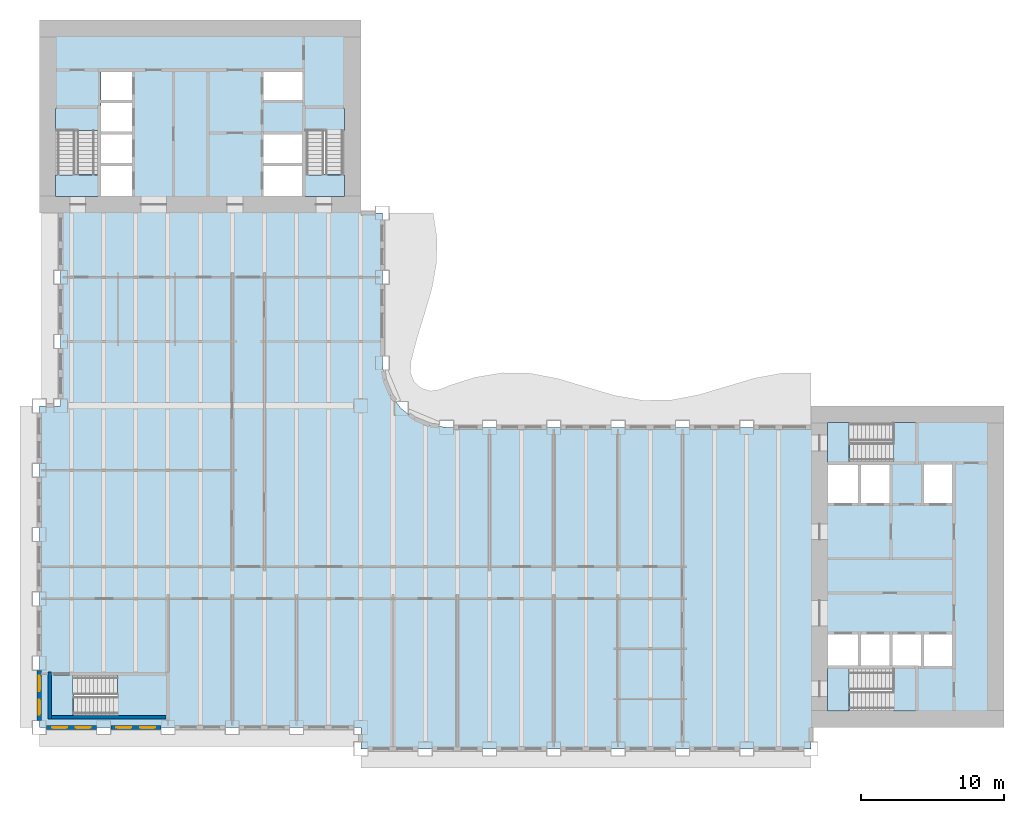
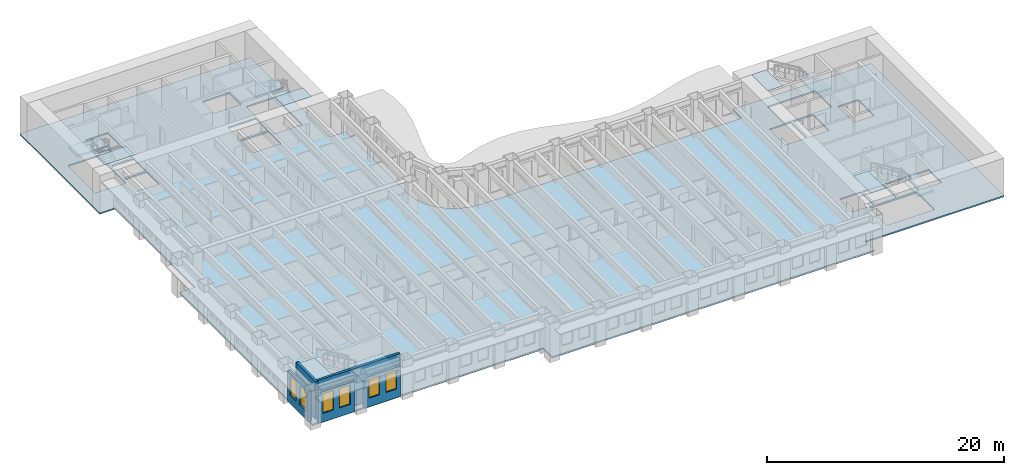
# One storey, part 2 of 16: 11 slabs, 6 windows, 5 walls, 6 openings, 5 elements without a shape of their own.
"""IFC4 building model written with IfcOpenShell, lengths in metres."""

from ifc_helpers import new_model, si_unit, direction, frame, frame_2d, origin, place, context, subcontext, project, spatial, polyline, rectangle, outline, extrude, material, layer, layer_set, type_object, element, fill, aggregate, save


model = new_model("IFC4")

# Units and contexts
model_context = context("Model", 3, precision=1e-05, world=origin(), true_north=direction((0.0, 1.0)))
body_context = subcontext(model_context, "Body", "Model", "MODEL_VIEW")
ifc_project = project(units=[si_unit("LENGTHUNIT", "METRE"), si_unit("AREAUNIT", "SQUARE_METRE"), si_unit("VOLUMEUNIT", "CUBIC_METRE"), si_unit("PLANEANGLEUNIT", "RADIAN"), si_unit("MASSUNIT", "GRAM", prefix="KILO")], contexts=[model_context])

# Site, building, storey
site_placement = place(None, origin())
site = spatial("IfcSite", under=ifc_project, at=site_placement, CompositionType="ELEMENT")
building_placement = place(site_placement, origin())
building = spatial("IfcBuilding", under=site, at=building_placement, Name="Sennacour Bend Tower", CompositionType="ELEMENT")
storey_placement = place(building_placement, frame((0.0, 0.0, 115.0)))
storey = spatial("IfcBuildingStorey", under=building, at=storey_placement, Name="L26", CompositionType="ELEMENT", Elevation=115.0)

# Slabs
ifc_material_1 = material(Name="Concrete C30/37", Category="concrete")
ifc_layer_1 = layer(ifc_material_1, 0.14990234375, Name="Concrete C30/37", Category="concrete")
ifc_layer_set_1 = layer_set([ifc_layer_1], Name="Concrete C30/37")
slab_type_1 = type_object("IfcSlabType", Name="Floor slab 150", PredefinedType="FLOOR", material=ifc_layer_set_1)
slab_1_placement = place(storey_placement, frame((0.0, 0.0, -0.14990234375)))
element("IfcSlab", 1, at=slab_1_placement, inside=storey, type_object=slab_type_1, Name="Floor slab L26-01", PredefinedType="FLOOR", context=body_context, shape_type="SweptSolid", body=[
    extrude(outline(polyline([(22.5, 0.0), (0.0, 0.0), (0.0, 22.5), (1.5, 22.5), (1.5, 36.0), (0.0, 36.0), (0.0, 49.5), (22.5, 49.5), (22.5, 36.0), (24.0, 36.0), (24.0, 25.5), (24.1533203125, 24.335205078125), (24.602783203125, 23.25), (25.318115234375, 22.318115234375), (26.25, 21.602783203125), (27.335205078125, 21.1533203125), (28.5, 21.0), (54.0, 21.0), (54.0, 22.5), (67.5, 22.5), (67.5, 0.0), (54.0, 0.0), (54.0, -1.5), (22.5, -1.5), (22.5, 0.0)]), holes=[polyline([(8.800048828125, 0.949951171875), (8.800048828125, 3.5), (2.429931640625, 3.5), (2.429931640625, 0.949951171875), (8.800048828125, 0.949951171875)]), polyline([(6.5, 37.199951171875), (6.5, 39.300048828125), (4.300048828125, 39.300048828125), (4.300048828125, 37.199951171875), (6.5, 37.199951171875)]), polyline([(18.39990234375, 37.199951171875), (18.39990234375, 39.300048828125), (15.699951171875, 39.300048828125), (15.699951171875, 37.199951171875), (18.39990234375, 37.199951171875)]), polyline([(6.5, 39.5), (6.5, 41.5), (4.300048828125, 41.5), (4.300048828125, 39.5), (6.5, 39.5)]), polyline([(18.39990234375, 39.5), (18.39990234375, 41.5), (15.699951171875, 41.5), (15.699951171875, 39.5), (18.39990234375, 39.5)]), polyline([(4.125, 38.72998046875), (4.125, 43.39990234375), (1.14990234375, 43.39990234375), (1.14990234375, 38.72998046875), (4.125, 38.72998046875)]), polyline([(21.35009765625, 38.72998046875), (21.35009765625, 43.39990234375), (18.574951171875, 43.39990234375), (18.574951171875, 38.72998046875), (21.35009765625, 38.72998046875)]), polyline([(4.300048828125, 41.699951171875), (6.5, 41.699951171875), (6.5, 43.699951171875), (4.300048828125, 43.699951171875), (4.300048828125, 41.699951171875)]), polyline([(4.300048828125, 43.89990234375), (6.5, 43.89990234375), (6.5, 45.89990234375), (4.300048828125, 45.89990234375), (4.300048828125, 43.89990234375)]), polyline([(18.39990234375, 43.89990234375), (18.39990234375, 45.89990234375), (15.699951171875, 45.89990234375), (15.699951171875, 43.89990234375), (18.39990234375, 43.89990234375)]), polyline([(61.39990234375, 1.14990234375), (61.39990234375, 4.125), (56.72998046875, 4.125), (56.72998046875, 1.14990234375), (61.39990234375, 1.14990234375)]), polyline([(57.300048828125, 4.300048828125), (57.300048828125, 6.5), (55.199951171875, 6.5), (55.199951171875, 4.300048828125), (57.300048828125, 4.300048828125)]), polyline([(57.5, 4.300048828125), (59.5, 4.300048828125), (59.5, 6.5), (57.5, 6.5), (57.5, 4.300048828125)]), polyline([(59.699951171875, 4.300048828125), (61.699951171875, 4.300048828125), (61.699951171875, 6.5), (59.699951171875, 6.5), (59.699951171875, 4.300048828125)]), polyline([(63.89990234375, 4.300048828125), (63.89990234375, 6.5), (61.89990234375, 6.5), (61.89990234375, 4.300048828125), (63.89990234375, 4.300048828125)]), polyline([(57.300048828125, 15.699951171875), (57.300048828125, 18.39990234375), (55.199951171875, 18.39990234375), (55.199951171875, 15.699951171875), (57.300048828125, 15.699951171875)]), polyline([(59.5, 15.699951171875), (59.5, 18.39990234375), (57.5, 18.39990234375), (57.5, 15.699951171875), (59.5, 15.699951171875)]), polyline([(61.89990234375, 15.699951171875), (63.89990234375, 15.699951171875), (63.89990234375, 18.39990234375), (61.89990234375, 18.39990234375), (61.89990234375, 15.699951171875)]), polyline([(56.72998046875, 18.574951171875), (61.39990234375, 18.574951171875), (61.39990234375, 21.35009765625), (56.72998046875, 21.35009765625), (56.72998046875, 18.574951171875)])]), origin(), (0.0, 0.0, 1.0), 0.14990234375),
])
ifc_material_2 = material(Name="Concrete C40/50", Category="concrete")
ifc_layer_2 = layer(ifc_material_2, 0.034912109375, Name="Concrete C40/50", Category="concrete")
ifc_layer_set_2 = layer_set([ifc_layer_2], Name="Concrete C40/50")
slab_type_2 = type_object("IfcSlabType", Name="Stair arrival nib 35", PredefinedType="FLOOR", material=ifc_layer_set_2)
slab_2_placement = place(storey_placement, frame((0.0, 0.0, 3.815185546875)))
element("IfcSlab", 2, at=slab_2_placement, inside=storey, type_object=slab_type_2, Name="L26 SA1 stair arrival nib", PredefinedType="FLOOR", context=body_context, shape_type="SweptSolid", body=[
    extrude(outline(polyline([(56.64208984375, 4.125), (55.14990234375, 4.125), (55.14990234375, 1.14990234375), (56.64208984375, 1.14990234375), (56.64208984375, 4.125)])), origin(), (0.0, 0.0, 1.0), 0.034912109375),
])
slab_3_placement = place(storey_placement, frame((0.0, 0.0, 3.815185546875)))
element("IfcSlab", 3, at=slab_3_placement, inside=storey, type_object=slab_type_2, Name="L26 SA2 stair arrival nib", PredefinedType="FLOOR", context=body_context, shape_type="SweptSolid", body=[
    extrude(outline(polyline([(56.64208984375, 21.35009765625), (55.14990234375, 21.35009765625), (55.14990234375, 18.574951171875), (56.64208984375, 18.574951171875), (56.64208984375, 21.35009765625)])), origin(), (0.0, 0.0, 1.0), 0.034912109375),
])
slab_4_placement = place(storey_placement, frame((0.0, 0.0, 3.815185546875)))
element("IfcSlab", 4, at=slab_4_placement, inside=storey, type_object=slab_type_2, Name="L26 SB1 stair arrival nib", PredefinedType="FLOOR", context=body_context, shape_type="SweptSolid", body=[
    extrude(outline(polyline([(1.14990234375, 38.64208984375), (1.14990234375, 37.14990234375), (4.125, 37.14990234375), (4.125, 38.64208984375), (1.14990234375, 38.64208984375)])), origin(), (0.0, 0.0, 1.0), 0.034912109375),
])
slab_5_placement = place(storey_placement, frame((0.0, 0.0, 3.815185546875)))
element("IfcSlab", 5, at=slab_5_placement, inside=storey, type_object=slab_type_2, Name="L26 SB2 stair arrival nib", PredefinedType="FLOOR", context=body_context, shape_type="SweptSolid", body=[
    extrude(outline(polyline([(18.574951171875, 38.64208984375), (18.574951171875, 37.14990234375), (21.35009765625, 37.14990234375), (21.35009765625, 38.64208984375), (18.574951171875, 38.64208984375)])), origin(), (0.0, 0.0, 1.0), 0.034912109375),
])
slab_6_placement = place(storey_placement, frame((0.0, 0.0, 3.815185546875)))
element("IfcSlab", 6, at=slab_6_placement, inside=storey, type_object=slab_type_2, Name="L26 SK1 stair arrival nib", PredefinedType="FLOOR", context=body_context, shape_type="SweptSolid", body=[
    extrude(outline(polyline([(2.342041015625, 3.675048828125), (0.800048828125, 3.675048828125), (0.800048828125, 0.800048828125), (2.342041015625, 0.800048828125), (2.342041015625, 3.675048828125)])), origin(), (0.0, 0.0, 1.0), 0.034912109375),
])

# Stair, slab
stair_type = type_object("IfcStairType", Name="ST-DOGLEG", PredefinedType="HALF_TURN_STAIR", material=ifc_material_2)
stair_1_placement = place(storey_placement, origin())
stair_1 = element("IfcStair", 7, at=stair_1_placement, inside=storey, type_object=stair_type, Name="L26 Exit stair A1", PredefinedType="HALF_TURN_STAIR")
ifc_layer_3 = layer(ifc_material_2, 0.199951171875, Name="Concrete C40/50", Category="concrete")
ifc_layer_set_3 = layer_set([ifc_layer_3], Name="Concrete C40/50")
slab_type_3 = type_object("IfcSlabType", Name="Stair landing 200", PredefinedType="LANDING", material=ifc_layer_set_3)
slab_7_placement = place(storey_placement, frame((0.0, 0.0, 1.800048828125)))
slab_7 = element("IfcSlab", 8, at=slab_7_placement, type_object=slab_type_3, Name="SA1 landing 1", PredefinedType="LANDING", context=body_context, shape_type="SweptSolid", body=[
    extrude(outline(polyline([(59.780029296875, 1.14990234375), (61.324951171875, 1.14990234375), (61.324951171875, 4.125), (59.780029296875, 4.125), (59.780029296875, 1.14990234375)])), origin(), (0.0, 0.0, 1.0), 0.199951171875),
])
aggregate(stair_1, [slab_7])

stair_2_placement = place(storey_placement, origin())
stair_2 = element("IfcStair", 9, at=stair_2_placement, inside=storey, type_object=stair_type, Name="L26 Exit stair A2", PredefinedType="HALF_TURN_STAIR")
slab_8_placement = place(storey_placement, frame((0.0, 0.0, 1.800048828125)))
slab_8 = element("IfcSlab", 10, at=slab_8_placement, type_object=slab_type_3, Name="SA2 landing 1", PredefinedType="LANDING", context=body_context, shape_type="SweptSolid", body=[
    extrude(outline(polyline([(59.780029296875, 18.574951171875), (61.324951171875, 18.574951171875), (61.324951171875, 21.35009765625), (59.780029296875, 21.35009765625), (59.780029296875, 18.574951171875)])), origin(), (0.0, 0.0, 1.0), 0.199951171875),
])
aggregate(stair_2, [slab_8])

stair_3_placement = place(storey_placement, origin())
stair_3 = element("IfcStair", 11, at=stair_3_placement, inside=storey, type_object=stair_type, Name="L26 Exit stair B1", PredefinedType="HALF_TURN_STAIR")
slab_9_placement = place(storey_placement, frame((0.0, 0.0, 1.800048828125)))
slab_9 = element("IfcSlab", 12, at=slab_9_placement, type_object=slab_type_3, Name="SB1 landing 1", PredefinedType="LANDING", context=body_context, shape_type="SweptSolid", body=[
    extrude(outline(polyline([(1.14990234375, 41.780029296875), (4.125, 41.780029296875), (4.125, 43.324951171875), (1.14990234375, 43.324951171875), (1.14990234375, 41.780029296875)])), origin(), (0.0, 0.0, 1.0), 0.199951171875),
])
aggregate(stair_3, [slab_9])

stair_4_placement = place(storey_placement, origin())
stair_4 = element("IfcStair", 13, at=stair_4_placement, inside=storey, type_object=stair_type, Name="L26 Exit stair B2", PredefinedType="HALF_TURN_STAIR")
slab_10_placement = place(storey_placement, frame((0.0, 0.0, 1.800048828125)))
slab_10 = element("IfcSlab", 14, at=slab_10_placement, type_object=slab_type_3, Name="SB2 landing 1", PredefinedType="LANDING", context=body_context, shape_type="SweptSolid", body=[
    extrude(outline(polyline([(18.574951171875, 41.780029296875), (21.35009765625, 41.780029296875), (21.35009765625, 43.324951171875), (18.574951171875, 43.324951171875), (18.574951171875, 41.780029296875)])), origin(), (0.0, 0.0, 1.0), 0.199951171875),
])
aggregate(stair_4, [slab_10])

stair_5_placement = place(storey_placement, origin())
stair_5 = element("IfcStair", 15, at=stair_5_placement, inside=storey, type_object=stair_type, Name="L26 Exit stair K1", PredefinedType="HALF_TURN_STAIR")
slab_11_placement = place(storey_placement, frame((0.0, 0.0, 1.800048828125)))
slab_11 = element("IfcSlab", 16, at=slab_11_placement, type_object=slab_type_3, Name="SK1 landing 1", PredefinedType="LANDING", context=body_context, shape_type="SweptSolid", body=[
    extrude(outline(polyline([(5.47998046875, 0.800048828125), (8.925048828125, 0.800048828125), (8.925048828125, 3.675048828125), (5.47998046875, 3.675048828125), (5.47998046875, 0.800048828125)])), origin(), (0.0, 0.0, 1.0), 0.199951171875),
])
aggregate(stair_5, [slab_11])

# Wall, openings, windows
ifc_material_3 = material(Name="Warm limestone cladding", Category="masonry")
ifc_layer_4 = layer(ifc_material_3, 0.050048828125, Name="Warm limestone cladding", Category="masonry")
ifc_material_4 = material(Name="Precast concrete C40/50", Category="concrete")
ifc_layer_5 = layer(ifc_material_4, 0.25, Name="Precast concrete C40/50", Category="concrete")
ifc_layer_set_4 = layer_set([ifc_layer_4, ifc_layer_5], Name="Precast concrete C40/50 with limestone cladding")
wall_type_1 = type_object("IfcWallType", Name="STONE-CLAD PRECAST SPANDREL 300", PredefinedType="STANDARD", material=ifc_layer_set_4)
wall_1_placement = place(storey_placement, frame((0.0, 4.0, 0.0), z_axis=(0.0, 0.0, 1.0), x_axis=(0.0, -1.0, 0.0)))
wall_1 = element("IfcWall", 17, at=wall_1_placement, inside=storey, type_object=wall_type_1, Name="Stone spandrel and pier wall L26 21.04", PredefinedType="STANDARD", context=body_context, shape_type="SweptSolid", body=[
    extrude(rectangle(XDim=3.5, YDim=0.300048828125, at=frame_2d((1.75, 0.0))), origin(), (0.0, 0.0, 1.0), 3.154052734375),
])
opening_1_placement = place(wall_1_placement, frame((0.39990234375, 0.0, 0.89990234375)))
opening_1 = element("IfcOpeningElement", 18, at=opening_1_placement, cuts=wall_1, Name="Opening W13", PredefinedType="OPENING", context=body_context, shape_type="SweptSolid", body=[
    extrude(rectangle(XDim=1.050048828125, YDim=2.0, at=frame_2d((0.52490234375, 1.0))), frame((0.0, 0.16015625, 0.0), z_axis=(0.0, -1.0, 0.0), x_axis=(1.0, 0.0, 0.0)), (0.0, 0.0, 1.0), 0.320068359375),
])
opening_2_placement = place(wall_1_placement, frame((2.050048828125, 0.0, 0.89990234375)))
opening_2 = element("IfcOpeningElement", 19, at=opening_2_placement, cuts=wall_1, Name="Opening W13", PredefinedType="OPENING", context=body_context, shape_type="SweptSolid", body=[
    extrude(rectangle(XDim=1.050048828125, YDim=2.0, at=frame_2d((0.52490234375, 1.0))), frame((0.0, 0.16015625, 0.0), z_axis=(0.0, -1.0, 0.0), x_axis=(1.0, 0.0, 0.0)), (0.0, 0.0, 1.0), 0.320068359375),
])
ifc_material_5 = material(Name="Clear low-emissivity glass", Category="glass")
window_type = type_object("IfcWindowType", Name="WIN-RIBBON-1050x2000", PartitioningType="SINGLE_PANEL", PredefinedType="WINDOW", material=ifc_material_5)
window_1_placement = place(opening_1_placement, origin())
window_1 = element("IfcWindow", 20, at=window_1_placement, inside=storey, type_object=window_type, Name="Ribbon window L26 21.04.0", OverallHeight=2.0, OverallWidth=1.050048828125, PartitioningType="SINGLE_PANEL", PredefinedType="WINDOW", context=body_context, shape_type="SweptSolid", body=[
    extrude(rectangle(XDim=1.050048828125, YDim=2.0, at=frame_2d((0.52490234375, 1.0))), frame((0.0, 0.030029296875, 0.0), z_axis=(0.0, -1.0, 0.0), x_axis=(1.0, 0.0, 0.0)), (0.0, 0.0, 1.0), 0.06005859375),
])
fill(opening_1, window_1)
window_2_placement = place(opening_2_placement, origin())
window_2 = element("IfcWindow", 21, at=window_2_placement, inside=storey, type_object=window_type, Name="Ribbon window L26 21.04.1", OverallHeight=2.0, OverallWidth=1.050048828125, PartitioningType="SINGLE_PANEL", PredefinedType="WINDOW", context=body_context, shape_type="SweptSolid", body=[
    extrude(rectangle(XDim=1.050048828125, YDim=2.0, at=frame_2d((0.52490234375, 1.0))), frame((0.0, 0.030029296875, 0.0), z_axis=(0.0, -1.0, 0.0), x_axis=(1.0, 0.0, 0.0)), (0.0, 0.0, 1.0), 0.06005859375),
])
fill(opening_2, window_2)

wall_2_placement = place(storey_placement, frame((0.5, 0.0, 0.0), z_axis=(0.0, 0.0, 1.0), x_axis=(1.0, 0.0, 0.0)))
wall_2 = element("IfcWall", 22, at=wall_2_placement, inside=storey, type_object=wall_type_1, Name="Stone spandrel and pier wall L26 22.00", PredefinedType="STANDARD", context=body_context, shape_type="SweptSolid", body=[
    extrude(rectangle(XDim=3.5, YDim=0.300048828125, at=frame_2d((1.75, 0.0))), origin(), (0.0, 0.0, 1.0), 3.154052734375),
])
opening_3_placement = place(wall_2_placement, frame((0.39990234375, 0.0, 0.89990234375)))
opening_3 = element("IfcOpeningElement", 23, at=opening_3_placement, cuts=wall_2, Name="Opening W13", PredefinedType="OPENING", context=body_context, shape_type="SweptSolid", body=[
    extrude(rectangle(XDim=1.050048828125, YDim=2.0, at=frame_2d((0.52490234375, 1.0))), frame((0.0, 0.16015625, 0.0), z_axis=(0.0, -1.0, 0.0), x_axis=(1.0, 0.0, 0.0)), (0.0, 0.0, 1.0), 0.320068359375),
])
opening_4_placement = place(wall_2_placement, frame((2.050048828125, 0.0, 0.89990234375)))
opening_4 = element("IfcOpeningElement", 24, at=opening_4_placement, cuts=wall_2, Name="Opening W13", PredefinedType="OPENING", context=body_context, shape_type="SweptSolid", body=[
    extrude(rectangle(XDim=1.050048828125, YDim=2.0, at=frame_2d((0.52490234375, 1.0))), frame((0.0, 0.16015625, 0.0), z_axis=(0.0, -1.0, 0.0), x_axis=(1.0, 0.0, 0.0)), (0.0, 0.0, 1.0), 0.320068359375),
])
window_3_placement = place(opening_3_placement, origin())
window_3 = element("IfcWindow", 25, at=window_3_placement, inside=storey, type_object=window_type, Name="Ribbon window L26 22.00.0", OverallHeight=2.0, OverallWidth=1.050048828125, PartitioningType="SINGLE_PANEL", PredefinedType="WINDOW", context=body_context, shape_type="SweptSolid", body=[
    extrude(rectangle(XDim=1.050048828125, YDim=2.0, at=frame_2d((0.52490234375, 1.0))), frame((0.0, 0.030029296875, 0.0), z_axis=(0.0, -1.0, 0.0), x_axis=(1.0, 0.0, 0.0)), (0.0, 0.0, 1.0), 0.06005859375),
])
fill(opening_3, window_3)
window_4_placement = place(opening_4_placement, origin())
window_4 = element("IfcWindow", 26, at=window_4_placement, inside=storey, type_object=window_type, Name="Ribbon window L26 22.00.1", OverallHeight=2.0, OverallWidth=1.050048828125, PartitioningType="SINGLE_PANEL", PredefinedType="WINDOW", context=body_context, shape_type="SweptSolid", body=[
    extrude(rectangle(XDim=1.050048828125, YDim=2.0, at=frame_2d((0.52490234375, 1.0))), frame((0.0, 0.030029296875, 0.0), z_axis=(0.0, -1.0, 0.0), x_axis=(1.0, 0.0, 0.0)), (0.0, 0.0, 1.0), 0.06005859375),
])
fill(opening_4, window_4)

wall_3_placement = place(storey_placement, frame((5.0, 0.0, 0.0), z_axis=(0.0, 0.0, 1.0), x_axis=(1.0, 0.0, 0.0)))
wall_3 = element("IfcWall", 27, at=wall_3_placement, inside=storey, type_object=wall_type_1, Name="Stone spandrel and pier wall L26 22.01", PredefinedType="STANDARD", context=body_context, shape_type="SweptSolid", body=[
    extrude(rectangle(XDim=3.5, YDim=0.300048828125, at=frame_2d((1.75, 0.0))), origin(), (0.0, 0.0, 1.0), 3.154052734375),
])
opening_5_placement = place(wall_3_placement, frame((0.39990234375, 0.0, 0.89990234375)))
opening_5 = element("IfcOpeningElement", 28, at=opening_5_placement, cuts=wall_3, Name="Opening W13", PredefinedType="OPENING", context=body_context, shape_type="SweptSolid", body=[
    extrude(rectangle(XDim=1.050048828125, YDim=2.0, at=frame_2d((0.52490234375, 1.0))), frame((0.0, 0.16015625, 0.0), z_axis=(0.0, -1.0, 0.0), x_axis=(1.0, 0.0, 0.0)), (0.0, 0.0, 1.0), 0.320068359375),
])
opening_6_placement = place(wall_3_placement, frame((2.050048828125, 0.0, 0.89990234375)))
opening_6 = element("IfcOpeningElement", 29, at=opening_6_placement, cuts=wall_3, Name="Opening W13", PredefinedType="OPENING", context=body_context, shape_type="SweptSolid", body=[
    extrude(rectangle(XDim=1.050048828125, YDim=2.0, at=frame_2d((0.52490234375, 1.0))), frame((0.0, 0.16015625, 0.0), z_axis=(0.0, -1.0, 0.0), x_axis=(1.0, 0.0, 0.0)), (0.0, 0.0, 1.0), 0.320068359375),
])
window_5_placement = place(opening_5_placement, origin())
window_5 = element("IfcWindow", 30, at=window_5_placement, inside=storey, type_object=window_type, Name="Ribbon window L26 22.01.0", OverallHeight=2.0, OverallWidth=1.050048828125, PartitioningType="SINGLE_PANEL", PredefinedType="WINDOW", context=body_context, shape_type="SweptSolid", body=[
    extrude(rectangle(XDim=1.050048828125, YDim=2.0, at=frame_2d((0.52490234375, 1.0))), frame((0.0, 0.030029296875, 0.0), z_axis=(0.0, -1.0, 0.0), x_axis=(1.0, 0.0, 0.0)), (0.0, 0.0, 1.0), 0.06005859375),
])
fill(opening_5, window_5)
window_6_placement = place(opening_6_placement, origin())
window_6 = element("IfcWindow", 31, at=window_6_placement, inside=storey, type_object=window_type, Name="Ribbon window L26 22.01.1", OverallHeight=2.0, OverallWidth=1.050048828125, PartitioningType="SINGLE_PANEL", PredefinedType="WINDOW", context=body_context, shape_type="SweptSolid", body=[
    extrude(rectangle(XDim=1.050048828125, YDim=2.0, at=frame_2d((0.52490234375, 1.0))), frame((0.0, 0.030029296875, 0.0), z_axis=(0.0, -1.0, 0.0), x_axis=(1.0, 0.0, 0.0)), (0.0, 0.0, 1.0), 0.06005859375),
])
fill(opening_6, window_6)

# Walls
ifc_material_6 = material(Name="Concrete C60/75", Category="concrete")
ifc_layer_6 = layer(ifc_material_6, 0.25, Name="Concrete C60/75", Category="concrete")
ifc_layer_set_5 = layer_set([ifc_layer_6], Name="Concrete C60/75")
wall_type_2 = type_object("IfcWallType", Name="Stair wall 250", PredefinedType="SHEAR", material=ifc_layer_set_5)
wall_4_placement = place(storey_placement, frame((0.72509765625, 0.60009765625, 0.0), z_axis=(0.0, 0.0, 1.0), x_axis=(0.0, 1.0, 0.0)))
element("IfcWall", 32, at=wall_4_placement, inside=storey, type_object=wall_type_2, Name="P-L26-W002", PredefinedType="SHEAR", context=body_context, shape_type="SweptSolid", body=[
    extrude(rectangle(XDim=3.27490234375, YDim=0.25, at=frame_2d((1.637451171875, 0.0))), origin(), (0.0, 0.0, 1.0), 3.85009765625),
])
wall_5_placement = place(storey_placement, frame((0.85009765625, 0.72509765625, 0.0), z_axis=(0.0, 0.0, 1.0), x_axis=(1.0, 0.0, 0.0)))
element("IfcWall", 33, at=wall_5_placement, inside=storey, type_object=wall_type_2, Name="P-L26-W047", PredefinedType="SHEAR", context=body_context, shape_type="SweptSolid", body=[
    extrude(rectangle(XDim=8.02490234375, YDim=0.25, at=frame_2d((4.012451171875, 0.0))), origin(), (0.0, 0.0, 1.0), 3.85009765625),
])

save(model, "model.ifc")
